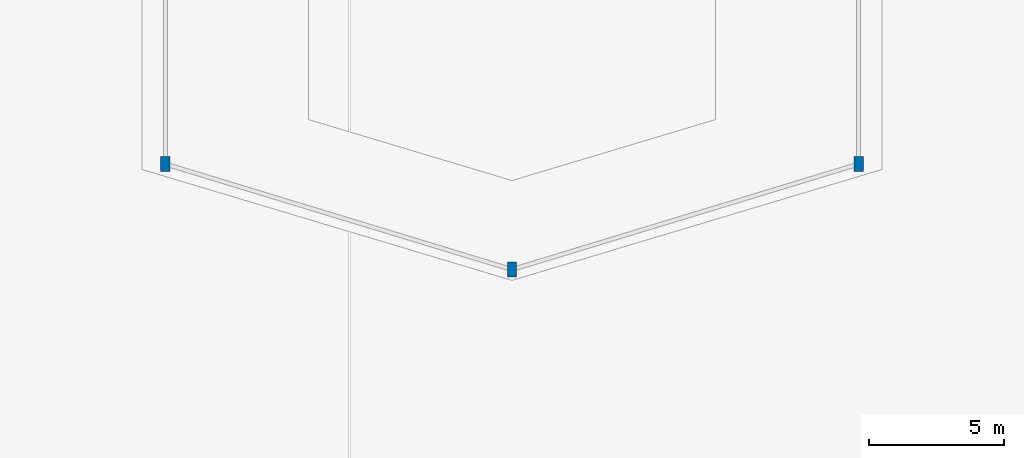
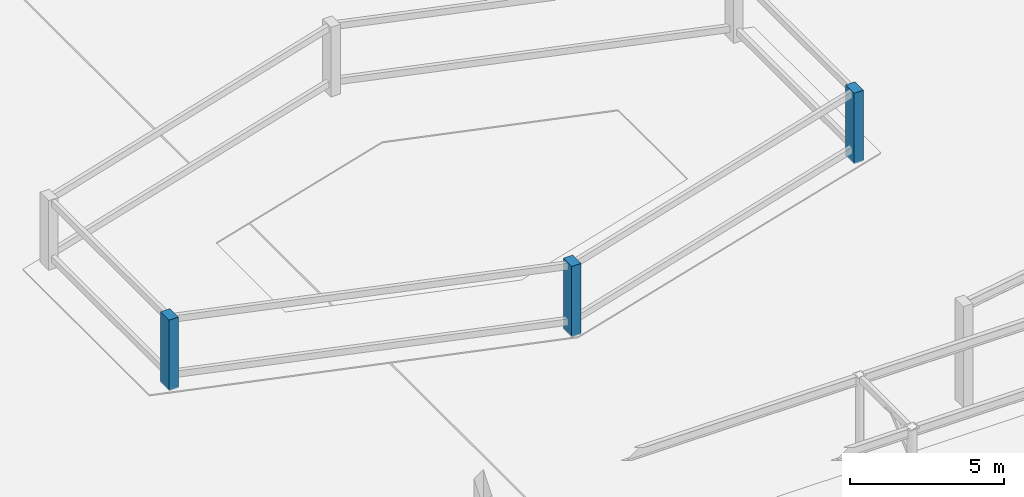
# One storey, part 12 of 114: 3 columns.
"""IFC4 building model written with IfcOpenShell, lengths in metres."""

from ifc_helpers import new_model, si_unit, direction, frame, origin, origin_2d, place, context, subcontext, project, spatial, rectangle, extrude, material, material_profile, profile_set, type_object, element, save


model = new_model("IFC4")

# Units and contexts
model_context = context("Model", 3, precision=1e-05, world=origin(), true_north=direction((0.0, 1.0)))
body_context = subcontext(model_context, "Body", "Model", "MODEL_VIEW")
ifc_project = project(units=[si_unit("LENGTHUNIT", "METRE"), si_unit("AREAUNIT", "SQUARE_METRE"), si_unit("VOLUMEUNIT", "CUBIC_METRE"), si_unit("PLANEANGLEUNIT", "RADIAN"), si_unit("MASSUNIT", "GRAM", prefix="KILO")], contexts=[model_context])

# Site, building, storey
site_placement = place(None, origin())
site = spatial("IfcSite", under=ifc_project, at=site_placement, CompositionType="ELEMENT")
building_placement = place(site_placement, origin())
building = spatial("IfcBuilding", under=site, at=building_placement, Name="Keldmere Railside Commons", CompositionType="ELEMENT")
storey_placement = place(building_placement, origin())
storey = spatial("IfcBuildingStorey", under=building, at=storey_placement, Name="L00", CompositionType="ELEMENT", Elevation=0.0)

# Columns
ifc_material = material(Name="Architectural Precast Concrete H-35 (C35/45)", Category="concrete")
ifc_material_profile = material_profile(ifc_material, rectangle(XDim=0.35009765625, YDim=0.550048828125, at=origin_2d()), Name="RC-350x550")
ifc_profile_set = profile_set([ifc_material_profile], Name="Architectural Precast Concrete H-35 (C35/45)")
column_type = type_object("IfcColumnType", Name="Facade Precast Pilaster Column 350x550", PredefinedType="PILASTER", material=ifc_profile_set)
for number, where, z_axis, x_axis, name in (
    (1, (131.18310546875, 68.10009765625, 0.0), (0.0, 0.0, 1.0), (1.0, 0.0, 0.0), "C-PIL COL-L00-1315"),
    (2, (144.0, 64.199951171875, 0.0), (0.0, 0.0, 1.0), (1.0, 0.0, 0.0), "C-PIL COL-L00-1367"),
    (3, (156.81689453125, 68.10009765625, 0.0), (0.0, 0.0, 1.0), (1.0, 0.0, 0.0), "C-PIL COL-L00-1451"),
):
    element("IfcColumn", number, at=place(storey_placement, frame(where, z_axis=z_axis, x_axis=x_axis)), inside=storey, type_object=column_type, Name=name, PredefinedType="PILASTER", context=body_context, shape_type="SweptSolid", body=[
        extrude(rectangle(XDim=0.35009765625, YDim=0.550048828125, at=origin_2d()), origin(), (0.0, 0.0, 1.0), 2.800048828125),
    ])

save(model, "model.ifc")
